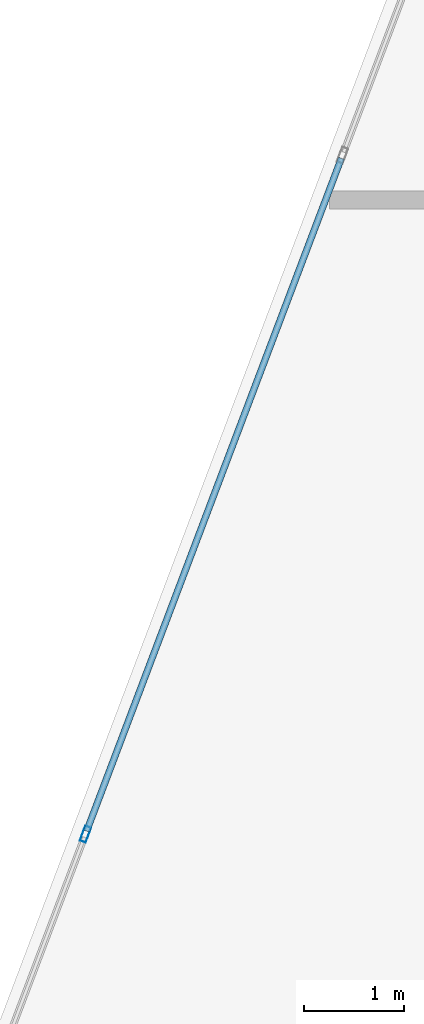
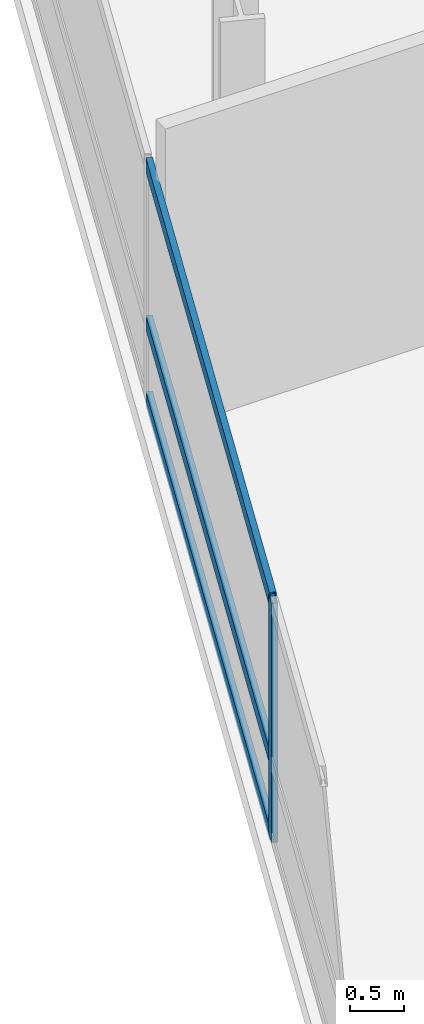
# One storey, part 6 of 24: 4 members, 1 element without a shape of its own.
"""IFC4 building model written with IfcOpenShell, lengths in metres."""

from ifc_helpers import new_model, si_unit, direction, frame, origin, origin_2d, place, context, subcontext, project, spatial, hollow_rectangle, extrude, material, layer, layer_set, material_profile, profile_set, type_object, element, aggregate, save


model = new_model("IFC4")

# Units and contexts
model_context = context("Model", 3, precision=1e-05, world=origin(), true_north=direction((0.0, 1.0)))
body_context = subcontext(model_context, "Body", "Model", "MODEL_VIEW")
ifc_project = project(units=[si_unit("LENGTHUNIT", "METRE"), si_unit("AREAUNIT", "SQUARE_METRE"), si_unit("VOLUMEUNIT", "CUBIC_METRE"), si_unit("PLANEANGLEUNIT", "RADIAN"), si_unit("MASSUNIT", "GRAM", prefix="KILO")], contexts=[model_context])

# Site, building, storey
site_placement = place(None, origin())
site = spatial("IfcSite", under=ifc_project, at=site_placement, CompositionType="ELEMENT")
building_placement = place(site_placement, origin())
building = spatial("IfcBuilding", under=site, at=building_placement, Name="Varnelok Gate Tower", CompositionType="ELEMENT")
storey_placement = place(building_placement, frame((0.0, 0.0, 94.699951171875)))
storey = spatial("IfcBuildingStorey", under=building, at=storey_placement, Name="L23", CompositionType="ELEMENT", Elevation=94.699951171875)

# Curtain wall, members
ifc_material = material(Name="Anodized Aluminum Alloy 6063-T6", Category="aluminium")
ifc_layer = layer(ifc_material, 0.179931640625)
ifc_layer_set = layer_set([ifc_layer], Name="Anodized Aluminum Alloy 6063-T6")
curtain_wall_type = type_object("IfcCurtainWallType", Name="CW3-HOTEL-VISION", PredefinedType="USERDEFINED", material=ifc_layer_set)
curtain_wall_placement = place(storey_placement, origin())
curtain_wall = element("IfcCurtainWall", 1, at=curtain_wall_placement, inside=storey, type_object=curtain_wall_type, Name="L23 West End Vision Curtain Wall", ObjectType="UNITISED CURTAIN WALL", PredefinedType="USERDEFINED")
ifc_material_profile_1 = material_profile(ifc_material, hollow_rectangle(XDim=0.06494140625, YDim=0.159912109375, WallThickness=0.00390625, at=origin_2d()), Name="ALU160X65X4")
ifc_profile_set_1 = profile_set([ifc_material_profile_1], Name="Anodized Aluminum Alloy 6063-T6")
member_type_1 = type_object("IfcMemberType", Name="CW-MULL-160", PredefinedType="MULLION", material=ifc_profile_set_1)
member_1_placement = place(storey_placement, frame((3.072021484375, 35.10693359375, 0.0), z_axis=(0.0, 0.0, 1.0), x_axis=(-0.935221323688, 0.354063660545, 0.0)))
member_1 = element("IfcMember", 2, at=member_1_placement, type_object=member_type_1, Name="CW3 mullion 3", PredefinedType="MULLION", context=body_context, shape_type="SweptSolid", body=[
    extrude(hollow_rectangle(XDim=0.06494140625, YDim=0.159912109375, WallThickness=0.00390625, at=origin_2d()), origin(), (0.0, 0.0, 1.0), 2.72998046875),
])
ifc_material_profile_2 = material_profile(ifc_material, hollow_rectangle(XDim=0.06494140625, YDim=0.159912109375, WallThickness=0.00390625, at=origin_2d()), Name="ALU160X65X4")
ifc_profile_set_2 = profile_set([ifc_material_profile_2], Name="Anodized Aluminum Alloy 6063-T6")
member_type_2 = type_object("IfcMemberType", Name="CW-TRAN-160", PredefinedType="USERDEFINED", material=ifc_profile_set_2)
member_2_placement = place(storey_placement, frame((3.08349609375, 35.13720703125, 0.032470703125), z_axis=(0.354048963644, 0.935226887628, 0.0), x_axis=(-0.935226887628, 0.354048963644, 0.0)))
member_2 = element("IfcMember", 3, at=member_2_placement, type_object=member_type_2, Name="CW3 transom 3.1", ObjectType="TRANSOM", PredefinedType="USERDEFINED", context=body_context, shape_type="SweptSolid", body=[
    extrude(hollow_rectangle(XDim=0.06494140625, YDim=0.159912109375, WallThickness=0.00390625, at=origin_2d()), origin(), (0.0, 0.0, 1.0), 7.175048828125),
])
member_3_placement = place(storey_placement, frame((3.08349609375, 35.13720703125, 0.900146484375), z_axis=(0.354048963644, 0.935226887628, 0.0), x_axis=(-0.935226887628, 0.354048963644, 0.0)))
member_3 = element("IfcMember", 4, at=member_3_placement, type_object=member_type_2, Name="CW3 transom 3.2", ObjectType="TRANSOM", PredefinedType="USERDEFINED", context=body_context, shape_type="SweptSolid", body=[
    extrude(hollow_rectangle(XDim=0.06494140625, YDim=0.159912109375, WallThickness=0.00390625, at=origin_2d()), origin(), (0.0, 0.0, 1.0), 7.175048828125),
])
member_4_placement = place(storey_placement, frame((3.08349609375, 35.13720703125, 2.697509765625), z_axis=(0.354048963644, 0.935226887628, 0.0), x_axis=(-0.935226887628, 0.354048963644, 0.0)))
member_4 = element("IfcMember", 5, at=member_4_placement, type_object=member_type_2, Name="CW3 transom 3.3", ObjectType="TRANSOM", PredefinedType="USERDEFINED", context=body_context, shape_type="SweptSolid", body=[
    extrude(hollow_rectangle(XDim=0.06494140625, YDim=0.159912109375, WallThickness=0.00390625, at=origin_2d()), origin(), (0.0, 0.0, 1.0), 7.175048828125),
])
aggregate(curtain_wall, [member_1, member_2, member_3, member_4])

save(model, "model.ifc")
